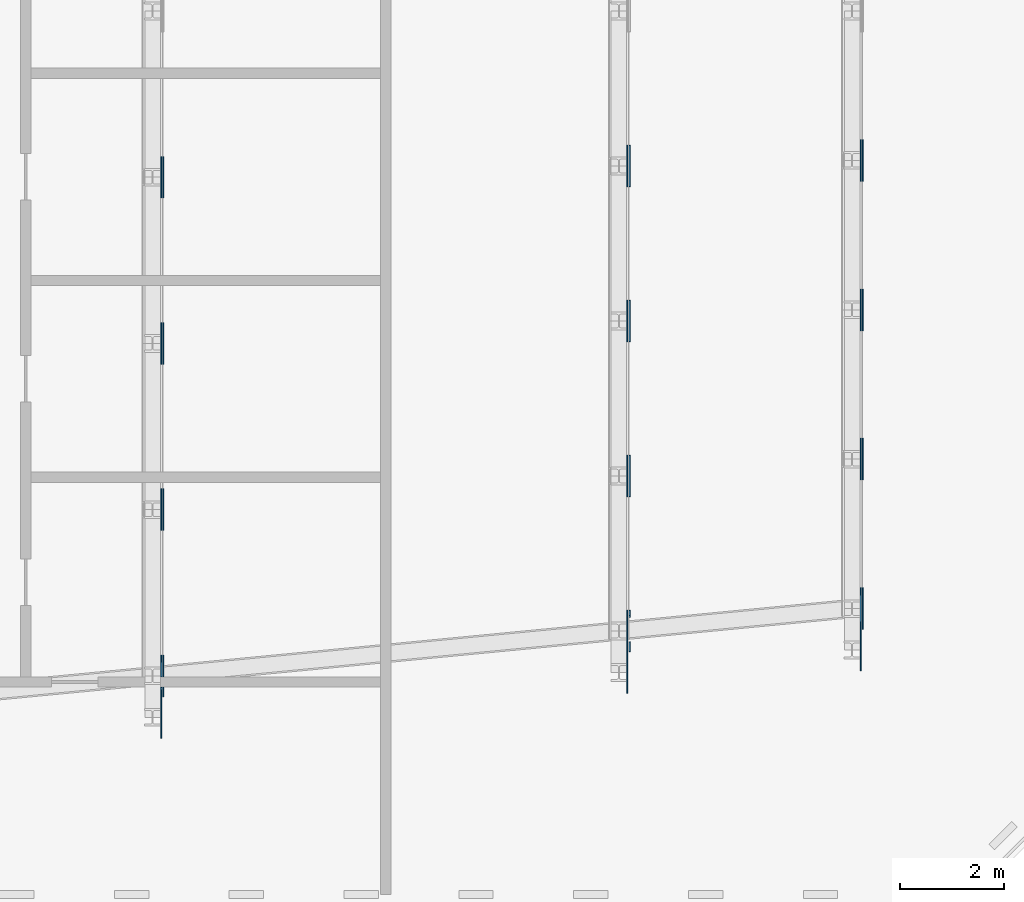
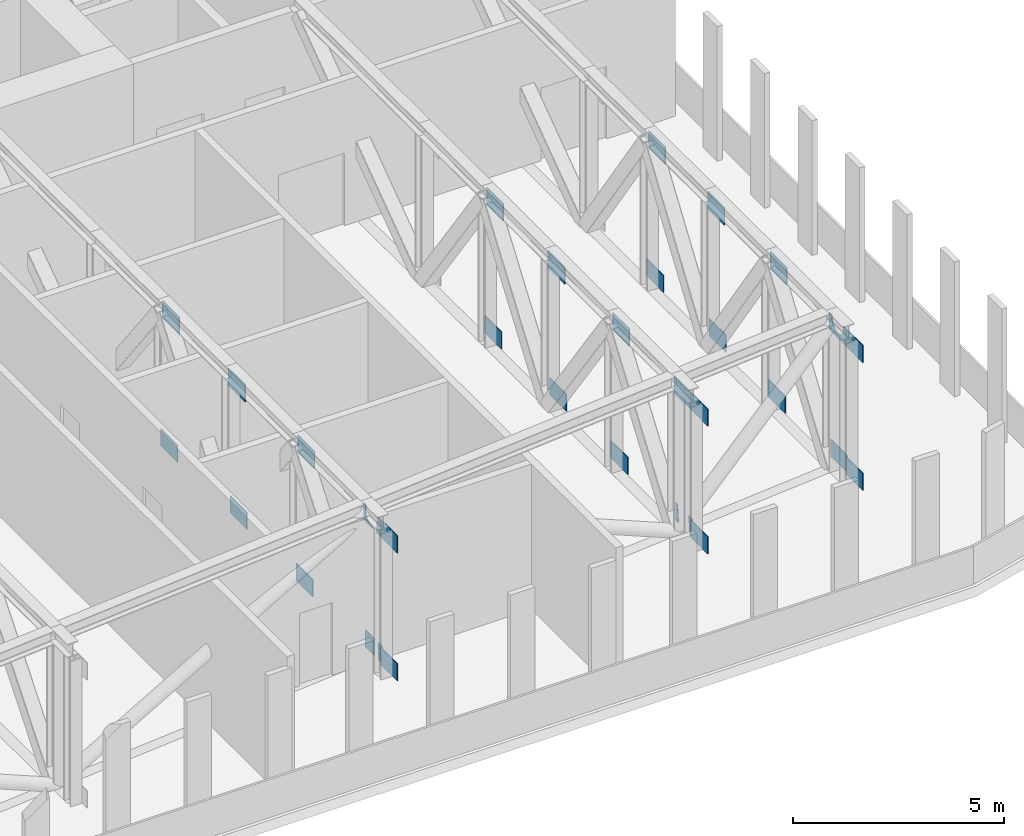
# One storey, part 15 of 22: 33 discrete accessories.
"""IFC4 building model written with IfcOpenShell, lengths in metres."""

from ifc_helpers import new_model, si_unit, direction, frame, origin, place, context, subcontext, project, spatial, polyline, outline, extrude, material, layer, layer_set, type_object, element, save


model = new_model("IFC4")

# Units and contexts
model_context = context("Model", 3, precision=1e-05, world=origin(), true_north=direction((0.0, 1.0)))
body_context = subcontext(model_context, "Body", "Model", "MODEL_VIEW")
ifc_project = project(units=[si_unit("LENGTHUNIT", "METRE"), si_unit("AREAUNIT", "SQUARE_METRE"), si_unit("VOLUMEUNIT", "CUBIC_METRE"), si_unit("PLANEANGLEUNIT", "RADIAN"), si_unit("MASSUNIT", "GRAM", prefix="KILO")], contexts=[model_context])

# Site, building, storey
site_placement = place(None, origin())
site = spatial("IfcSite", under=ifc_project, at=site_placement, CompositionType="ELEMENT")
building_placement = place(site_placement, origin())
building = spatial("IfcBuilding", under=site, at=building_placement, Name="Kajstack Hotel Tower", CompositionType="ELEMENT")
storey_placement = place(building_placement, frame((0.0, 0.0, 99.60009765625)))
storey = spatial("IfcBuildingStorey", under=building, at=storey_placement, Name="L21", CompositionType="ELEMENT", Elevation=99.60009765625)

# Discrete accessories
ifc_material = material(Name="Steel S355J2", Category="steel")
ifc_layer = layer(ifc_material, 0.02001953125)
ifc_layer_set = layer_set([ifc_layer], Name="GUSSET PLATE")
discrete_accessory_type = type_object("IfcDiscreteAccessoryType", Name="GUSSET PLATE", PredefinedType="BRACKET", material=ifc_layer_set)
for number, where, z_axis, x_axis, name in (
    (1, (27.155029296875, -18.1328125, 0.0), (1.0, 0.0, 0.0), (0.0, 1.0, 0.0), "Gusset plate L21-270"),
    (2, (27.155029296875, -18.1328125, 3.699951171875), (1.0, 0.0, 0.0), (0.0, 1.0, 0.0), "Gusset plate L21-271"),
):
    element("IfcDiscreteAccessory", number, at=place(storey_placement, frame(where, z_axis=z_axis, x_axis=x_axis)), inside=storey, type_object=discrete_accessory_type, Name=name, PredefinedType="BRACKET", context=body_context, shape_type="SweptSolid", body=[
        extrude(outline(polyline([(-0.39990234375, 0.0), (0.39990234375, 0.0), (0.39990234375, 0.5), (-0.39990234375, 0.5), (-0.39990234375, 0.0)])), origin(), (0.0, 0.0, 1.0), 0.02001953125),
    ])
discrete_accessory_1_placement = place(storey_placement, frame((27.199951171875, -17.332763671875, 0.0), z_axis=(1.0, 0.0, 0.0), x_axis=(0.0, 1.0, 0.0)))
element("IfcDiscreteAccessory", 3, at=discrete_accessory_1_placement, inside=storey, type_object=discrete_accessory_type, Name="Gusset plate L21-272", PredefinedType="BRACKET", context=body_context, shape_type="SweptSolid", body=[
    extrude(outline(polyline([(0.39990234375, 0.5), (-0.01220703125, 0.5), (-0.01220703125, 0.0), (0.39990234375, 0.0), (0.39990234375, 0.5)])), origin(), (0.0, 0.0, 1.0), 0.02001953125),
])
discrete_accessory_2_placement = place(storey_placement, frame((27.199951171875, -17.332763671875, 0.0), z_axis=(1.0, 0.0, 0.0), x_axis=(0.0, 1.0, 0.0)))
element("IfcDiscreteAccessory", 4, at=discrete_accessory_2_placement, inside=storey, type_object=discrete_accessory_type, Name="Gusset plate L21-273", PredefinedType="BRACKET", context=body_context, shape_type="SweptSolid", body=[
    extrude(outline(polyline([(-0.39990234375, 0.0), (-0.222412109375, 0.0), (-0.222412109375, 0.5), (-0.39990234375, 0.5), (-0.39990234375, 0.0)])), origin(), (0.0, 0.0, 1.0), 0.02001953125),
])
discrete_accessory_3_placement = place(storey_placement, frame((27.155029296875, -17.332763671875, 3.699951171875), z_axis=(1.0, 0.0, 0.0), x_axis=(0.0, 1.0, 0.0)))
element("IfcDiscreteAccessory", 5, at=discrete_accessory_3_placement, inside=storey, type_object=discrete_accessory_type, Name="Gusset plate L21-274", PredefinedType="BRACKET", context=body_context, shape_type="SweptSolid", body=[
    extrude(outline(polyline([(0.39990234375, 0.5), (0.26904296875, 0.5), (0.298583984375, 0.356201171875), (0.302490234375, 0.330810546875), (0.303955078125, 0.30517578125), (0.302978515625, 0.279541015625), (0.29931640625, 0.254150390625), (0.293212890625, 0.229248046875), (0.28466796875, 0.204833984375), (0.27392578125, 0.181640625), (0.260986328125, 0.15966796875), (0.245849609375, 0.138916015625), (0.228759765625, 0.11962890625), (0.209716796875, 0.102294921875), (0.189208984375, 0.0869140625), (0.167236328125, 0.07373046875), (0.144287109375, 0.0625), (0.1201171875, 0.0537109375), (0.09521484375, 0.04736328125), (0.06982421875, 0.04345703125), (0.044189453125, 0.0419921875), (0.0185546875, 0.04296875), (-0.01220703125, 0.0478515625), (-0.01220703125, 0.0), (0.39990234375, 0.0), (0.39990234375, 0.5)])), origin(), (0.0, 0.0, 1.0), 0.02001953125),
])
discrete_accessory_4_placement = place(storey_placement, frame((27.155029296875, -17.332763671875, 3.699951171875), z_axis=(1.0, 0.0, 0.0), x_axis=(0.0, 1.0, 0.0)))
element("IfcDiscreteAccessory", 6, at=discrete_accessory_4_placement, inside=storey, type_object=discrete_accessory_type, Name="Gusset plate L21-275", PredefinedType="BRACKET", context=body_context, shape_type="SweptSolid", body=[
    extrude(outline(polyline([(-0.39990234375, 0.0), (-0.222412109375, 0.0), (-0.222412109375, 0.293212890625), (-0.2255859375, 0.30908203125), (-0.2421875, 0.3359375), (-0.2529296875, 0.359375), (-0.261474609375, 0.383544921875), (-0.267578125, 0.408447265625), (-0.271240234375, 0.433837890625), (-0.272216796875, 0.45947265625), (-0.2685546875, 0.5), (-0.39990234375, 0.5), (-0.39990234375, 0.0)])), origin(), (0.0, 0.0, 1.0), 0.02001953125),
])
for number, where, z_axis, x_axis, name in (
    (7, (27.155029296875, -14.12451171875, 0.0), (1.0, 0.0, 0.0), (0.0, 1.0, 0.0), "Gusset plate L21-276"),
    (8, (27.199951171875, -14.12451171875, 3.699951171875), (1.0, 0.0, 0.0), (0.0, 1.0, 0.0), "Gusset plate L21-277"),
    (9, (27.199951171875, -10.916259765625, 0.0), (1.0, 0.0, 0.0), (0.0, 1.0, 0.0), "Gusset plate L21-278"),
    (10, (27.155029296875, -10.916259765625, 3.699951171875), (1.0, 0.0, 0.0), (0.0, 1.0, 0.0), "Gusset plate L21-279"),
    (11, (27.155029296875, -7.708251953125, 0.0), (1.0, 0.0, 0.0), (0.0, 1.0, 0.0), "Gusset plate L21-280"),
    (12, (27.199951171875, -7.708251953125, 3.699951171875), (1.0, 0.0, 0.0), (0.0, 1.0, 0.0), "Gusset plate L21-281"),
    (13, (36.155029296875, -17.26611328125, 0.0), (1.0, 0.0, 0.0), (0.0, 1.0, 0.0), "Gusset plate L21-285"),
    (14, (36.155029296875, -17.26611328125, 3.699951171875), (1.0, 0.0, 0.0), (0.0, 1.0, 0.0), "Gusset plate L21-286"),
):
    element("IfcDiscreteAccessory", number, at=place(storey_placement, frame(where, z_axis=z_axis, x_axis=x_axis)), inside=storey, type_object=discrete_accessory_type, Name=name, PredefinedType="BRACKET", context=body_context, shape_type="SweptSolid", body=[
        extrude(outline(polyline([(-0.39990234375, 0.0), (0.39990234375, 0.0), (0.39990234375, 0.5), (-0.39990234375, 0.5), (-0.39990234375, 0.0)])), origin(), (0.0, 0.0, 1.0), 0.02001953125),
    ])
discrete_accessory_5_placement = place(storey_placement, frame((36.199951171875, -16.466064453125, 0.0), z_axis=(1.0, 0.0, 0.0), x_axis=(0.0, 1.0, 0.0)))
element("IfcDiscreteAccessory", 15, at=discrete_accessory_5_placement, inside=storey, type_object=discrete_accessory_type, Name="Gusset plate L21-287", PredefinedType="BRACKET", context=body_context, shape_type="SweptSolid", body=[
    extrude(outline(polyline([(0.39990234375, 0.5), (0.30419921875, 0.5), (0.30712890625, 0.479736328125), (0.308349609375, 0.4541015625), (0.306884765625, 0.428466796875), (0.26416015625, 0.01318359375), (0.266845703125, 0.0), (0.39990234375, 0.0), (0.39990234375, 0.5)])), origin(), (0.0, 0.0, 1.0), 0.02001953125),
])
discrete_accessory_6_placement = place(storey_placement, frame((36.199951171875, -16.466064453125, 0.0), z_axis=(1.0, 0.0, 0.0), x_axis=(0.0, 1.0, 0.0)))
element("IfcDiscreteAccessory", 16, at=discrete_accessory_6_placement, inside=storey, type_object=discrete_accessory_type, Name="Gusset plate L21-288", PredefinedType="BRACKET", context=body_context, shape_type="SweptSolid", body=[
    extrude(outline(polyline([(-0.39990234375, 0.0), (-0.265869140625, 0.0), (-0.267822265625, 0.029541015625), (-0.266845703125, 0.05517578125), (-0.26318359375, 0.08056640625), (-0.257080078125, 0.10546875), (-0.249755859375, 0.126220703125), (-0.21044921875, 0.5), (-0.39990234375, 0.5), (-0.39990234375, 0.0)])), origin(), (0.0, 0.0, 1.0), 0.02001953125),
])
for number, where, z_axis, x_axis, name in (
    (17, (36.155029296875, -16.466064453125, 3.699951171875), (1.0, 0.0, 0.0), (0.0, 1.0, 0.0), "Gusset plate L21-289"),
    (18, (36.155029296875, -13.474609375, 0.0), (1.0, 0.0, 0.0), (0.0, 1.0, 0.0), "Gusset plate L21-290"),
    (19, (36.199951171875, -13.474609375, 3.699951171875), (1.0, 0.0, 0.0), (0.0, 1.0, 0.0), "Gusset plate L21-291"),
    (20, (36.199951171875, -10.483154296875, 0.0), (1.0, 0.0, 0.0), (0.0, 1.0, 0.0), "Gusset plate L21-292"),
    (21, (36.155029296875, -10.483154296875, 3.699951171875), (1.0, 0.0, 0.0), (0.0, 1.0, 0.0), "Gusset plate L21-293"),
    (22, (36.155029296875, -7.491455078125, 0.0), (1.0, 0.0, 0.0), (0.0, 1.0, 0.0), "Gusset plate L21-294"),
    (23, (36.199951171875, -7.491455078125, 3.699951171875), (1.0, 0.0, 0.0), (0.0, 1.0, 0.0), "Gusset plate L21-295"),
    (24, (40.655029296875, -16.832763671875, 0.0), (1.0, 0.0, 0.0), (0.0, 1.0, 0.0), "Gusset plate L21-299"),
    (25, (40.655029296875, -16.832763671875, 3.699951171875), (1.0, 0.0, 0.0), (0.0, 1.0, 0.0), "Gusset plate L21-300"),
    (26, (40.699951171875, -16.03271484375, 0.0), (1.0, 0.0, 0.0), (0.0, 1.0, 0.0), "Gusset plate L21-301"),
):
    element("IfcDiscreteAccessory", number, at=place(storey_placement, frame(where, z_axis=z_axis, x_axis=x_axis)), inside=storey, type_object=discrete_accessory_type, Name=name, PredefinedType="BRACKET", context=body_context, shape_type="SweptSolid", body=[
        extrude(outline(polyline([(-0.39990234375, 0.0), (0.39990234375, 0.0), (0.39990234375, 0.5), (-0.39990234375, 0.5), (-0.39990234375, 0.0)])), origin(), (0.0, 0.0, 1.0), 0.02001953125),
    ])
discrete_accessory_7_placement = place(storey_placement, frame((40.655029296875, -16.03271484375, 3.699951171875), z_axis=(1.0, 0.0, 0.0), x_axis=(0.0, 1.0, 0.0)))
element("IfcDiscreteAccessory", 27, at=discrete_accessory_7_placement, inside=storey, type_object=discrete_accessory_type, Name="Gusset plate L21-302", PredefinedType="BRACKET", context=body_context, shape_type="SweptSolid", body=[
    extrude(outline(polyline([(0.39990234375, 0.5), (0.26171875, 0.5), (0.249267578125, 0.378662109375), (0.245361328125, 0.353271484375), (0.239013671875, 0.32861328125), (0.23046875, 0.304443359375), (0.21923828125, 0.28125), (0.2060546875, 0.25927734375), (0.190673828125, 0.23876953125), (0.17333984375, 0.2197265625), (0.154296875, 0.20263671875), (0.133544921875, 0.1875), (0.111572265625, 0.17431640625), (0.088134765625, 0.16357421875), (0.06396484375, 0.155029296875), (0.0390625, 0.14892578125), (0.013671875, 0.145263671875), (-0.011962890625, 0.14404296875), (-0.03759765625, 0.1455078125), (-0.06298828125, 0.149169921875), (-0.087646484375, 0.155517578125), (-0.11181640625, 0.164306640625), (-0.135009765625, 0.175537109375), (-0.156982421875, 0.188720703125), (-0.177490234375, 0.2041015625), (-0.196533203125, 0.221435546875), (-0.213623046875, 0.240478515625), (-0.228759765625, 0.26123046875), (-0.241943359375, 0.283203125), (-0.252685546875, 0.306396484375), (-0.26123046875, 0.330810546875), (-0.267333984375, 0.355712890625), (-0.27099609375, 0.381103515625), (-0.272216796875, 0.40673828125), (-0.263916015625, 0.5), (-0.39990234375, 0.5), (-0.39990234375, 0.0), (0.39990234375, 0.0), (0.39990234375, 0.5)])), origin(), (0.0, 0.0, 1.0), 0.02001953125),
])
for number, where, z_axis, x_axis, name in (
    (28, (40.655029296875, -13.149658203125, 0.0), (1.0, 0.0, 0.0), (0.0, 1.0, 0.0), "Gusset plate L21-303"),
    (29, (40.699951171875, -13.149658203125, 3.699951171875), (1.0, 0.0, 0.0), (0.0, 1.0, 0.0), "Gusset plate L21-304"),
    (30, (40.699951171875, -10.266357421875, 0.0), (1.0, 0.0, 0.0), (0.0, 1.0, 0.0), "Gusset plate L21-305"),
    (31, (40.655029296875, -10.266357421875, 3.699951171875), (1.0, 0.0, 0.0), (0.0, 1.0, 0.0), "Gusset plate L21-306"),
    (32, (40.655029296875, -7.38330078125, 0.0), (1.0, 0.0, 0.0), (0.0, 1.0, 0.0), "Gusset plate L21-307"),
    (33, (40.699951171875, -7.38330078125, 3.699951171875), (1.0, 0.0, 0.0), (0.0, 1.0, 0.0), "Gusset plate L21-308"),
):
    element("IfcDiscreteAccessory", number, at=place(storey_placement, frame(where, z_axis=z_axis, x_axis=x_axis)), inside=storey, type_object=discrete_accessory_type, Name=name, PredefinedType="BRACKET", context=body_context, shape_type="SweptSolid", body=[
        extrude(outline(polyline([(-0.39990234375, 0.0), (0.39990234375, 0.0), (0.39990234375, 0.5), (-0.39990234375, 0.5), (-0.39990234375, 0.0)])), origin(), (0.0, 0.0, 1.0), 0.02001953125),
    ])

save(model, "model.ifc")
